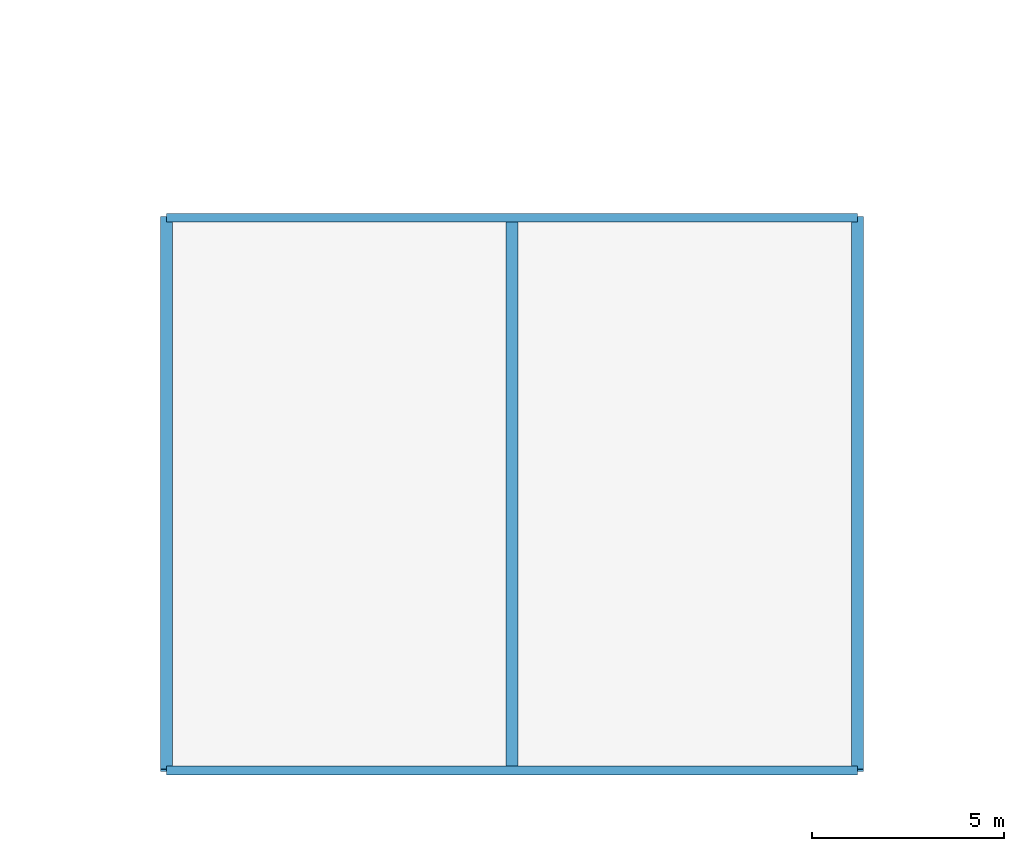
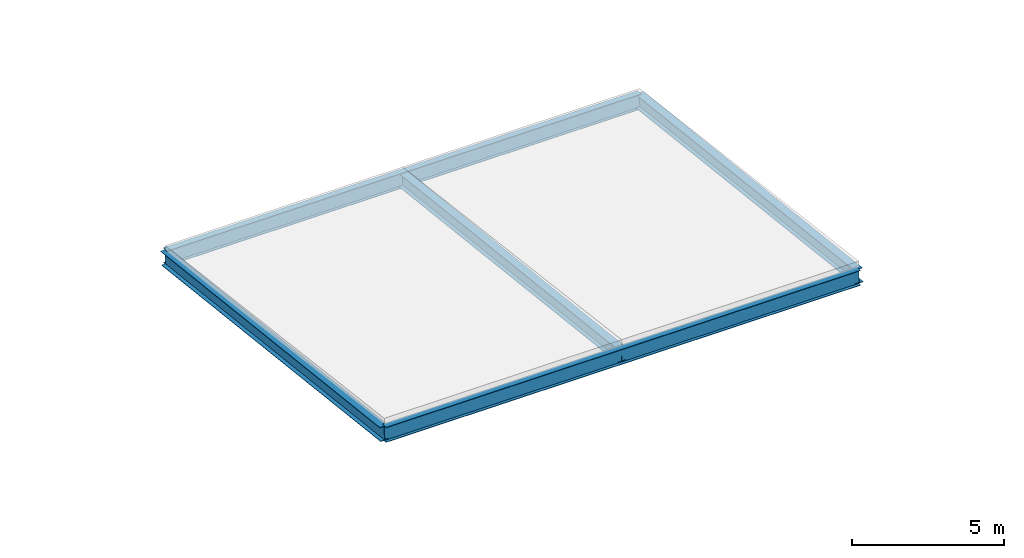
# One storey, part 14 of 73: 3 members, 2 beams.
"""IFC4 building model written with IfcOpenShell, lengths in metres."""

from ifc_helpers import new_model, si_unit, direction, frame, origin, origin_2d, place, context, subcontext, project, spatial, i_section, extrude, material, material_profile, profile_set, type_object, element, save


model = new_model("IFC4")

# Units and contexts
model_context = context("Model", 3, precision=1e-05, world=origin(), true_north=direction((0.0, 1.0)))
body_context = subcontext(model_context, "Body", "Model", "MODEL_VIEW")
ifc_project = project(units=[si_unit("LENGTHUNIT", "METRE"), si_unit("AREAUNIT", "SQUARE_METRE"), si_unit("VOLUMEUNIT", "CUBIC_METRE"), si_unit("PLANEANGLEUNIT", "RADIAN"), si_unit("MASSUNIT", "GRAM", prefix="KILO")], contexts=[model_context])

# Site, building, storey
site_placement = place(None, origin())
site = spatial("IfcSite", under=ifc_project, at=site_placement, CompositionType="ELEMENT")
building_placement = place(site_placement, origin())
building = spatial("IfcBuilding", under=site, at=building_placement, Name="Vervanel Yard Central Library", CompositionType="ELEMENT")
storey_placement = place(building_placement, frame((0.0, 0.0, 12.780029296875)))
storey = spatial("IfcBuildingStorey", under=building, at=storey_placement, Name="L03", CompositionType="ELEMENT", Elevation=12.780029296875)

# Members
ifc_material = material(Name="Steel ASTM A992 Grade 50", Category="steel")
ifc_material_profile_1 = material_profile(ifc_material, i_section(OverallWidth=0.3125, OverallDepth=0.54345703125, WebThickness=0.0126953125, FlangeThickness=0.020263671875, at=origin_2d()), Name="W21X101", Category="steel")
ifc_profile_set_1 = profile_set([ifc_material_profile_1], Name="Steel ASTM A992 Grade 50")
member_type = type_object("IfcMemberType", Name="Auditorium Sloped Rafter W21X101", PredefinedType="RAFTER", material=ifc_profile_set_1)
for number, where, z_axis, x_axis, name in (
    (1, (90.0, 0.0, 1.300048828125), (0.0, 0.993419701018, -0.114530771539), (-1.0, 0.0, 0.0), "L03 V5 Pavilion Sloped Rafter X=90.0"),
    (2, (99.0, 0.0, 1.300048828125), (0.0, 0.993419701018, -0.114530771539), (-1.0, 0.0, 0.0), "L03 V5 Pavilion Sloped Rafter X=99.0"),
    (3, (108.0, 0.0, 1.300048828125), (0.0, 0.993419701018, -0.114530771539), (-1.0, 0.0, 0.0), "L03 V5 Pavilion Sloped Rafter X=108.0"),
):
    element("IfcMember", number, at=place(storey_placement, frame(where, z_axis=z_axis, x_axis=x_axis)), inside=storey, type_object=member_type, Name=name, PredefinedType="RAFTER", context=body_context, shape_type="SweptSolid", body=[
        extrude(i_section(OverallWidth=0.3125, OverallDepth=0.54345703125, WebThickness=0.0126953125, FlangeThickness=0.020263671875, at=origin_2d()), origin(), (0.0, 0.0, 1.0), 14.495361328125),
    ])

# Beams
ifc_material_profile_2 = material_profile(ifc_material, i_section(OverallWidth=0.22900390625, OverallDepth=0.612060546875, WebThickness=0.011962890625, FlangeThickness=0.01953125, at=origin_2d()), Name="W24X84", Category="steel")
ifc_profile_set_2 = profile_set([ifc_material_profile_2], Name="Steel ASTM A992 Grade 50")
beam_type = type_object("IfcBeamType", Name="Steel Primary Girder W24X84", PredefinedType="BEAM", material=ifc_profile_set_2)
for number, where, z_axis, x_axis, name in (
    (4, (90.0, 14.39990234375, -0.360107421875), (1.0, 0.0, 0.0), (0.0, 1.0, 0.0), "L03 V5 Pavilion North Eave Girder"),
    (5, (90.0, 0.0, 1.300048828125), (1.0, 0.0, 0.0), (0.0, 1.0, 0.0), "L03 V5 Pavilion South Ridge Girder"),
):
    element("IfcBeam", number, at=place(storey_placement, frame(where, z_axis=z_axis, x_axis=x_axis)), inside=storey, type_object=beam_type, Name=name, PredefinedType="BEAM", context=body_context, shape_type="SweptSolid", body=[
        extrude(i_section(OverallWidth=0.22900390625, OverallDepth=0.612060546875, WebThickness=0.011962890625, FlangeThickness=0.01953125, at=origin_2d()), origin(), (0.0, 0.0, 1.0), 18.0),
    ])

save(model, "model.ifc")
